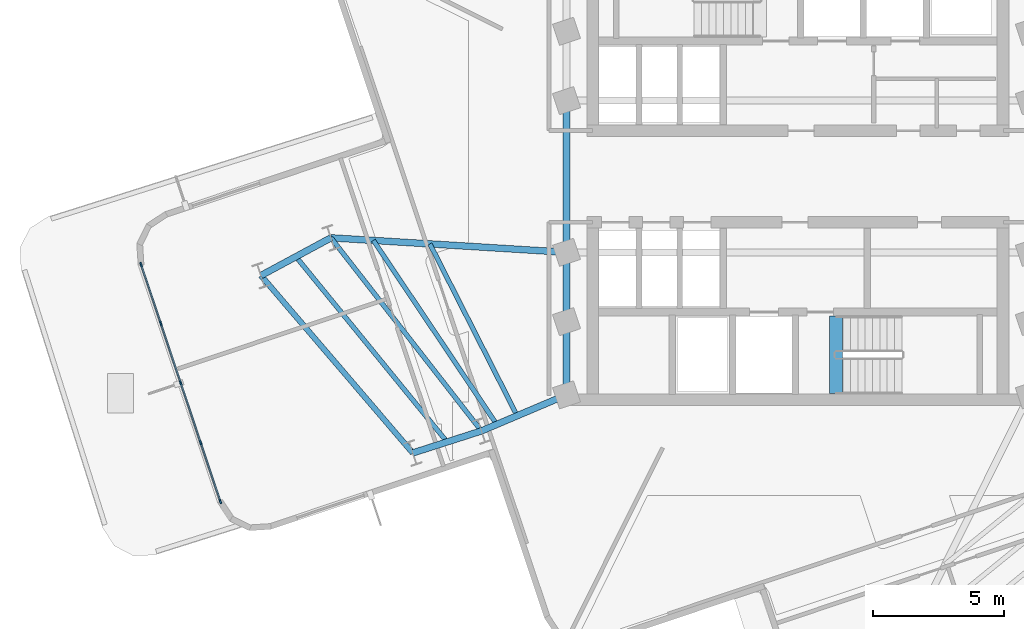
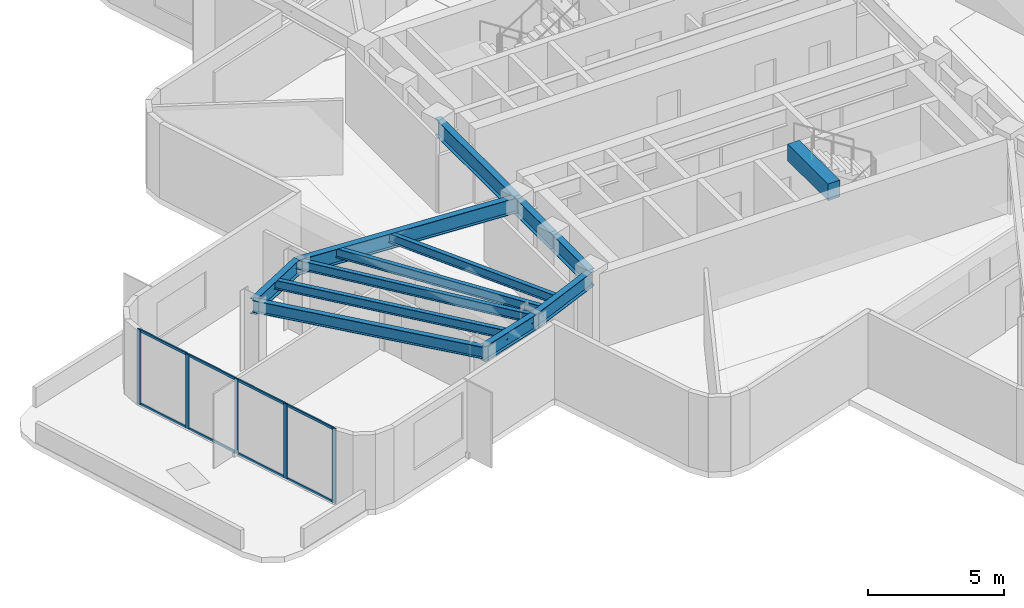
# One storey, part 2 of 11: 13 beams, 13 members, 1 element without a shape of its own.
"""IFC4 building model written with IfcOpenShell, lengths in metres."""

import ifcopenshell
import ifcopenshell.guid

model = None  # the IFC model being written
_history = None  # IfcOwnerHistory: only IFC2X3 demands one
_inside = {}  # id of a spatial element -> (the spatial element, [elements in it])
_under = {}  # id of a project, library or spatial element -> (it, [spatial elements below it])
_declared = {}  # id of a project -> (the project, [libraries it declares])
_typed = {}  # id of a type object -> (the type object, [elements of that type])
_made_of = {}  # id of a material, layer set ... -> (it, [elements and type objects made of it])


def new_model(schema):
    """Start an empty IFC model of exactly this schema.

    Asked for "IFC4X3", IfcOpenShell would pick the latest addendum, in which some entities
    have other attributes; the version numbers below select the first issue.
    IFC2X3 requires an IfcOwnerHistory on every rooted entity: one is made here for all.
    """
    global model, _history
    if schema == "IFC4X3":
        model = ifcopenshell.file(schema_version=(4, 3, 0, 0))
    else:
        model = ifcopenshell.file(schema=schema)
    _inside.clear()
    _under.clear()
    _declared.clear()
    _typed.clear()
    _made_of.clear()
    _history = None
    if model.schema == "IFC2X3":
        org = make("IfcOrganization", Name="unknown")
        user = make(
            "IfcPersonAndOrganization",
            ThePerson=make("IfcPerson", FamilyName="unknown"),
            TheOrganization=org,
        )
        app = make(
            "IfcApplication",
            ApplicationDeveloper=org,
            Version="unknown",
            ApplicationFullName="unknown",
            ApplicationIdentifier="unknown",
        )
        _history = make(
            "IfcOwnerHistory",
            OwningUser=user,
            OwningApplication=app,
            ChangeAction="ADDED",
            CreationDate=0,
        )
    return model


def make(cls, **values):
    """One entity of the class cls with the attributes given. An attribute that is None is left unset."""
    return model.create_entity(
        cls, **{name: value for name, value in values.items() if value is not None}
    )


def rooted(cls, **values):
    """An entity with a GlobalId (a new one), such as an element, a storey or a relation."""
    return make(cls, GlobalId=ifcopenshell.guid.new(), OwnerHistory=_history, **values)


def si_unit(unit_type, name, prefix=None):
    """IfcSIUnit, for example si_unit("LENGTHUNIT", "METRE", prefix="MILLI")."""
    return make("IfcSIUnit", UnitType=unit_type, Prefix=prefix, Name=name)


def assignment(units):
    """IfcUnitAssignment: the units of a project."""
    return None if units is None else make("IfcUnitAssignment", Units=units)


def point(xyz):
    """IfcCartesianPoint."""
    return None if xyz is None else make("IfcCartesianPoint", Coordinates=xyz)


def direction(xyz):
    """IfcDirection."""
    return None if xyz is None else make("IfcDirection", DirectionRatios=xyz)


def frame(location, z_axis=None, x_axis=None):
    """IfcAxis2Placement3D, a coordinate frame: its origin and axes. An axis left out is left unset."""
    return make(
        "IfcAxis2Placement3D",
        Location=point(location),
        Axis=direction(z_axis),
        RefDirection=direction(x_axis),
    )


def frame_2d(location, x_axis=None):
    """IfcAxis2Placement2D, a coordinate frame in the plane: its origin and x axis."""
    return make(
        "IfcAxis2Placement2D", Location=point(location), RefDirection=direction(x_axis)
    )


def origin():
    """The frame at (0, 0, 0) with its axes left unset."""
    return frame((0.0, 0.0, 0.0))


def origin_2d():
    """The frame at (0, 0) in the plane with its x axis left unset."""
    return frame_2d((0.0, 0.0))


def place(relative_to, where):
    """IfcLocalPlacement: puts the frame where relative to a parent placement (None: the world)."""
    return make(
        "IfcLocalPlacement", PlacementRelTo=relative_to, RelativePlacement=where
    )


def context(
    kind, dimensions, precision=None, world=None, true_north=None, identifier=None
):
    """IfcGeometricRepresentationContext, for example the 3D "Model" context."""
    return make(
        "IfcGeometricRepresentationContext",
        ContextIdentifier=identifier,
        ContextType=kind,
        CoordinateSpaceDimension=dimensions,
        Precision=precision,
        WorldCoordinateSystem=world,
        TrueNorth=true_north,
    )


def subcontext(parent, identifier, kind, view, scale=None):
    """IfcGeometricRepresentationSubContext, for example "Body" below "Model"."""
    return make(
        "IfcGeometricRepresentationSubContext",
        ContextIdentifier=identifier,
        ContextType=kind,
        ParentContext=parent,
        TargetScale=scale,
        TargetView=view,
    )


def project(units=None, contexts=None):
    """IfcProject with its units and contexts."""
    return rooted(
        "IfcProject",
        Name="project",
        RepresentationContexts=contexts,
        UnitsInContext=assignment(units),
    )


def spatial(cls, under=None, at=None, **own):
    """A site, building, storey or space (cls), placed at a placement, below another one or the project."""
    s = rooted(cls, ObjectPlacement=at, **own)
    if under is not None:
        _under.setdefault(under.id(), (under, []))[1].append(s)
    return s


def profile(cls, at=None, kind="AREA", **sizes):
    """A parametric profile (cls). Its sizes go by their IFC names, for example OverallWidth=200.0."""
    return make(cls, ProfileType=kind, Position=at, **sizes)


def rectangle(**sizes):
    """IfcRectangleProfileDef."""
    return profile("IfcRectangleProfileDef", **sizes)


def i_section(**sizes):
    """IfcIShapeProfileDef."""
    return profile("IfcIShapeProfileDef", **sizes)


def extrude(swept, where, along, depth):
    """IfcExtrudedAreaSolid: the profile swept, set in the frame where, extruded along a direction by depth."""
    return make(
        "IfcExtrudedAreaSolid",
        SweptArea=swept,
        Position=where,
        ExtrudedDirection=direction(along),
        Depth=depth,
    )


def shape(context_of_items, identifier, shape_type, items):
    """IfcShapeRepresentation: the items that make up one representation, for example the "Body"."""
    return make(
        "IfcShapeRepresentation",
        ContextOfItems=context_of_items,
        RepresentationIdentifier=identifier,
        RepresentationType=shape_type,
        Items=items,
    )


def material(Name=None, Category=None):
    """IfcMaterial."""
    return make("IfcMaterial", Name=Name, Category=Category)


def layer(
    of_material, thickness, ventilated=None, Name=None, Category=None, Priority=None
):
    """IfcMaterialLayer: one layer of a wall or slab, of a material (None: an air gap)."""
    return make(
        "IfcMaterialLayer",
        Material=of_material,
        LayerThickness=thickness,
        IsVentilated=ventilated,
        Name=Name,
        Category=Category,
        Priority=Priority,
    )


def layer_set(layers, Name=None):
    """IfcMaterialLayerSet."""
    return make("IfcMaterialLayerSet", MaterialLayers=layers, LayerSetName=Name)


def material_profile(
    of_material, cross_section, Name=None, Category=None, Priority=None
):
    """IfcMaterialProfile: a cross section and its material."""
    return make(
        "IfcMaterialProfile",
        Name=Name,
        Material=of_material,
        Profile=cross_section,
        Priority=Priority,
        Category=Category,
    )


def profile_set(profiles, Name=None, composite=None):
    """IfcMaterialProfileSet."""
    return make(
        "IfcMaterialProfileSet",
        Name=Name,
        MaterialProfiles=profiles,
        CompositeProfile=composite,
    )


def made_of(thing, what):
    """Note that an element or type object is made of a material, layer set ...; save() writes the relation."""
    if what is not None:
        _made_of.setdefault(what.id(), (what, []))[1].append(thing)
    return thing


def type_object(cls, material=None, **own):
    """A type object (cls), such as IfcWallType, which elements share."""
    return made_of(rooted(cls, **own), material)


def element(
    cls,
    number,
    at=None,
    inside=None,
    cuts=None,
    type_object=None,
    material=None,
    context=None,
    identifier="Body",
    shape_type=None,
    held_by="IfcProductDefinitionShape",
    body=None,
    shapes=None,
    **own,
):
    """One element of the class cls, such as IfcWall. Its Tag is "e" and its number.

    at: its placement. inside: the storey or other place that contains it. cuts: it is an
    opening in that element (IfcRelVoidsElement). A single representation is given by context,
    identifier, shape_type and body (its items); several are given by shapes. held_by: the class
    of the entity that holds the representations. save() writes the other relations.
    """
    e = rooted(cls, Tag="e%d" % number, ObjectPlacement=at, **own)
    if body is not None:
        shapes = [shape(context, identifier, shape_type, body)]
    if shapes is not None:
        e.Representation = make(held_by, Representations=shapes)
    if inside is not None:
        _inside.setdefault(inside.id(), (inside, []))[1].append(e)
    if cuts is not None:
        rooted(
            "IfcRelVoidsElement", RelatingBuildingElement=cuts, RelatedOpeningElement=e
        )
    if type_object is not None:
        _typed.setdefault(type_object.id(), (type_object, []))[1].append(e)
    return made_of(e, material)


def aggregate(whole, parts):
    """IfcRelAggregates: a whole, such as a stair, and the parts it consists of."""
    return rooted("IfcRelAggregates", RelatingObject=whole, RelatedObjects=parts)


def save(model, path):
    """Write the relations noted so far, then the file.

    IfcRelAggregates (storeys below a building ...), IfcRelContainedInSpatialStructure (elements
    in a storey), IfcRelDefinesByType, IfcRelAssociatesMaterial and IfcRelDeclares: one each for
    every whole, place, type object, material and project.
    """
    for whole, parts in _under.values():
        aggregate(whole, parts)
    for where, things in _inside.values():
        rooted(
            "IfcRelContainedInSpatialStructure",
            RelatedElements=things,
            RelatingStructure=where,
        )
    for kind, things in _typed.values():
        rooted("IfcRelDefinesByType", RelatedObjects=things, RelatingType=kind)
    for what, things in _made_of.values():
        rooted("IfcRelAssociatesMaterial", RelatedObjects=things, RelatingMaterial=what)
    for by, libraries in _declared.values():
        rooted("IfcRelDeclares", RelatingContext=by, RelatedDefinitions=libraries)
    model.write(path)


model = new_model("IFC4")

# Units and contexts
model_context = context("Model", 3, precision=1e-05, world=origin(), true_north=direction((0.0, 1.0)))
body_context = subcontext(model_context, "Body", "Model", "MODEL_VIEW")
ifc_project = project(units=[si_unit("LENGTHUNIT", "METRE"), si_unit("AREAUNIT", "SQUARE_METRE"), si_unit("VOLUMEUNIT", "CUBIC_METRE"), si_unit("PLANEANGLEUNIT", "RADIAN"), si_unit("MASSUNIT", "GRAM", prefix="KILO")], contexts=[model_context])

# Site, building, storey
site_placement = place(None, origin())
site = spatial("IfcSite", under=ifc_project, at=site_placement, CompositionType="ELEMENT")
building_placement = place(site_placement, origin())
building = spatial("IfcBuilding", under=site, at=building_placement, Name="Solmarez Civic Tower", CompositionType="ELEMENT")
storey_placement = place(building_placement, frame((0.0, 0.0, 155.8798828125)))
storey = spatial("IfcBuildingStorey", under=building, at=storey_placement, Name="L41", CompositionType="ELEMENT", Elevation=155.8798828125)

# Beams
ifc_material_1 = material(Name="Steel S355", Category="steel")
ifc_material_profile_1 = material_profile(ifc_material_1, i_section(OverallWidth=0.178955078125, OverallDepth=0.409912109375, WebThickness=0.0087890625, FlangeThickness=0.014404296875, at=origin_2d()), Name="W16X45")
ifc_profile_set_1 = profile_set([ifc_material_profile_1], Name="Steel S355")
beam_type_1 = type_object("IfcBeamType", Name="BM-JS-W16X45", PredefinedType="JOIST", material=ifc_profile_set_1)
beam_1_placement = place(storey_placement, frame((-17.85791015625, -2.345947265625, 3.135009765625), z_axis=(0.614476744631, -0.788934934141, 0.0), x_axis=(0.788934934141, 0.614476744631, 0.0)))
element("IfcBeam", 1, at=beam_1_placement, inside=storey, type_object=beam_type_1, Name="L41 Secondary Floor Joist BM-L41-WA-T1", PredefinedType="JOIST", context=body_context, shape_type="SweptSolid", body=[
    extrude(i_section(OverallWidth=0.178955078125, OverallDepth=0.409912109375, WebThickness=0.0087890625, FlangeThickness=0.014404296875, at=origin_2d()), origin(), (0.0, 0.0, 1.0), 9.36083984375),
])
beam_2_placement = place(storey_placement, frame((-19.197021484375, -3.06689453125, 3.135009765625), z_axis=(0.632062174253, -0.77491767813, 0.0), x_axis=(0.77491767813, 0.632062174253, 0.0)))
element("IfcBeam", 2, at=beam_2_placement, inside=storey, type_object=beam_type_1, Name="L41 Secondary Floor Joist JS-L41-WA-M2", PredefinedType="JOIST", context=body_context, shape_type="SweptSolid", body=[
    extrude(i_section(OverallWidth=0.178955078125, OverallDepth=0.409912109375, WebThickness=0.0087890625, FlangeThickness=0.014404296875, at=origin_2d()), origin(), (0.0, 0.0, 1.0), 9.14306640625),
])
beam_3_placement = place(storey_placement, frame((-14.074951171875, -2.5791015625, 3.135009765625), z_axis=(0.452743410654, -0.891640849282, 0.0), x_axis=(0.891640849282, 0.452743410654, 0.0)))
element("IfcBeam", 3, at=beam_3_placement, inside=storey, type_object=beam_type_1, Name="L41 Secondary Floor Joist JS-L41-WA-M11", PredefinedType="JOIST", context=body_context, shape_type="SweptSolid", body=[
    extrude(i_section(OverallWidth=0.178955078125, OverallDepth=0.409912109375, WebThickness=0.0087890625, FlangeThickness=0.014404296875, at=origin_2d()), origin(), (0.0, 0.0, 1.0), 7.370361328125),
])
beam_4_placement = place(storey_placement, frame((-16.237060546875, -2.446044921875, 3.135009765625), z_axis=(0.556859935783, -0.830606412159, 0.0), x_axis=(0.830606412159, 0.556859935783, 0.0)))
element("IfcBeam", 4, at=beam_4_placement, inside=storey, type_object=beam_type_1, Name="L41 Secondary Floor Joist JS-L41-WA-M12", PredefinedType="JOIST", context=body_context, shape_type="SweptSolid", body=[
    extrude(i_section(OverallWidth=0.178955078125, OverallDepth=0.409912109375, WebThickness=0.0087890625, FlangeThickness=0.014404296875, at=origin_2d()), origin(), (0.0, 0.0, 1.0), 8.470703125),
])
ifc_material_2 = material(Name="Concrete C50/60", Category="concrete")
ifc_material_profile_2 = material_profile(ifc_material_2, rectangle(XDim=0.5, YDim=0.75, at=origin_2d()), Name="RC500X750")
ifc_profile_set_2 = profile_set([ifc_material_profile_2], Name="Concrete C50/60")
beam_type_2 = type_object("IfcBeamType", Name="BM-PR-RC500X750", PredefinedType="BEAM", material=ifc_profile_set_2)
beam_5_placement = place(storey_placement, frame((1.449951171875, -8.300048828125, 3.233154296875), z_axis=(0.0, 1.0, 0.0), x_axis=(-1.0, 0.0, 0.0)))
element("IfcBeam", 5, at=beam_5_placement, inside=storey, type_object=beam_type_2, Name="L41 South Stair Threshold Beam", PredefinedType="BEAM", context=body_context, shape_type="SweptSolid", body=[
    extrude(rectangle(XDim=0.5, YDim=0.75, at=origin_2d()), origin(), (0.0, 0.0, 1.0), 2.9599609375),
])
ifc_material_profile_3 = material_profile(ifc_material_1, i_section(OverallWidth=0.25390625, OverallDepth=0.68798828125, WebThickness=0.01318359375, FlangeThickness=0.02099609375, at=origin_2d()), Name="W27X102")
ifc_profile_set_3 = profile_set([ifc_material_profile_3], Name="Steel S355")
beam_type_3 = type_object("IfcBeamType", Name="BM-PR-W27X102", PredefinedType="BEAM", material=ifc_profile_set_3)
beam_6_placement = place(storey_placement, frame((-8.85009765625, -2.89990234375, 2.99609375), z_axis=(-0.998114395047, 0.061381221877, 0.0), x_axis=(-0.061381221877, -0.998114395047, 0.0)))
element("IfcBeam", 6, at=beam_6_placement, inside=storey, type_object=beam_type_3, Name="L41 Primary Floor Beam BM-L41-WA-R1A", PredefinedType="BEAM", context=body_context, shape_type="SweptSolid", body=[
    extrude(i_section(OverallWidth=0.25390625, OverallDepth=0.68798828125, WebThickness=0.01318359375, FlangeThickness=0.02099609375, at=origin_2d()), origin(), (0.0, 0.0, 1.0), 9.02490234375),
])
beam_7_placement = place(storey_placement, frame((-8.85009765625, -8.35009765625, 2.99609375), z_axis=(-0.920623894701, -0.390450566019, 0.0), x_axis=(0.390450566019, -0.920623894701, 0.0)))
element("IfcBeam", 7, at=beam_7_placement, inside=storey, type_object=beam_type_3, Name="L41 Primary Floor Beam BM-L41-WA-R1B", PredefinedType="BEAM", context=body_context, shape_type="SweptSolid", body=[
    extrude(i_section(OverallWidth=0.25390625, OverallDepth=0.68798828125, WebThickness=0.01318359375, FlangeThickness=0.02099609375, at=origin_2d()), origin(), (0.0, 0.0, 1.0), 3.53662109375),
])
beam_8_placement = place(storey_placement, frame((-17.85791015625, -2.345947265625, 2.99609375), z_axis=(-0.880378270924, -0.474272179329, 0.0), x_axis=(0.474272179329, -0.880378270924, 0.0)))
element("IfcBeam", 8, at=beam_8_placement, inside=storey, type_object=beam_type_3, Name="L41 Primary Floor Beam BM-L41-WA-R2A", PredefinedType="BEAM", context=body_context, shape_type="SweptSolid", body=[
    extrude(i_section(OverallWidth=0.25390625, OverallDepth=0.68798828125, WebThickness=0.01318359375, FlangeThickness=0.02099609375, at=origin_2d()), origin(), (0.0, 0.0, 1.0), 3.040771484375),
])
beam_9_placement = place(storey_placement, frame((-12.10595703125, -9.73095703125, 2.99609375), z_axis=(-0.952208998703, -0.305447250421, 0.0), x_axis=(0.305447250421, -0.952208998703, 0.0)))
element("IfcBeam", 9, at=beam_9_placement, inside=storey, type_object=beam_type_3, Name="L41 Primary Floor Beam BM-L41-WA-R2B", PredefinedType="BEAM", context=body_context, shape_type="SweptSolid", body=[
    extrude(i_section(OverallWidth=0.25390625, OverallDepth=0.68798828125, WebThickness=0.01318359375, FlangeThickness=0.02099609375, at=origin_2d()), origin(), (0.0, 0.0, 1.0), 2.7568359375),
])
ifc_material_profile_4 = material_profile(ifc_material_1, i_section(OverallWidth=0.26708984375, OverallDepth=0.761962890625, WebThickness=0.014404296875, FlangeThickness=0.021484375, at=origin_2d()), Name="W30X116")
ifc_profile_set_4 = profile_set([ifc_material_profile_4], Name="Steel S355")
beam_type_4 = type_object("IfcBeamType", Name="BM-PR-W30X116", PredefinedType="BEAM", material=ifc_profile_set_4)
beam_10_placement = place(storey_placement, frame((-8.85009765625, -8.35009765625, 2.959228515625), z_axis=(0.0, 1.0, 0.0), x_axis=(-1.0, 0.0, 0.0)))
element("IfcBeam", 10, at=beam_10_placement, inside=storey, type_object=beam_type_4, Name="L41 Primary Floor Beam BM-L41-HC12-HC1", PredefinedType="BEAM", context=body_context, shape_type="SweptSolid", body=[
    extrude(i_section(OverallWidth=0.26708984375, OverallDepth=0.761962890625, WebThickness=0.014404296875, FlangeThickness=0.021484375, at=origin_2d()), origin(), (0.0, 0.0, 1.0), 2.800048828125),
])
beam_11_placement = place(storey_placement, frame((-8.85009765625, -5.550048828125, 2.959228515625), z_axis=(0.0, 1.0, 0.0), x_axis=(-1.0, 0.0, 0.0)))
element("IfcBeam", 11, at=beam_11_placement, inside=storey, type_object=beam_type_4, Name="L41 Primary Floor Beam BM-L41-HC1-HC2", PredefinedType="BEAM", context=body_context, shape_type="SweptSolid", body=[
    extrude(i_section(OverallWidth=0.26708984375, OverallDepth=0.761962890625, WebThickness=0.014404296875, FlangeThickness=0.021484375, at=origin_2d()), origin(), (0.0, 0.0, 1.0), 2.650146484375),
])
beam_12_placement = place(storey_placement, frame((-8.85009765625, -2.89990234375, 2.959228515625), z_axis=(0.0, 1.0, 0.0), x_axis=(-1.0, 0.0, 0.0)))
element("IfcBeam", 12, at=beam_12_placement, inside=storey, type_object=beam_type_4, Name="L41 Primary Floor Beam BM-L41-HC2-HC3", PredefinedType="BEAM", context=body_context, shape_type="SweptSolid", body=[
    extrude(i_section(OverallWidth=0.26708984375, OverallDepth=0.761962890625, WebThickness=0.014404296875, FlangeThickness=0.021484375, at=origin_2d()), origin(), (0.0, 0.0, 1.0), 5.7998046875),
])
ifc_material_profile_5 = material_profile(ifc_material_1, i_section(OverallWidth=0.2109375, OverallDepth=0.5390625, WebThickness=0.01171875, FlangeThickness=0.018798828125, at=origin_2d()), Name="W21X73")
ifc_profile_set_5 = profile_set([ifc_material_profile_5], Name="Steel S355")
beam_type_5 = type_object("IfcBeamType", Name="BM-SP-W21X73", PredefinedType="SPANDREL", material=ifc_profile_set_5)
beam_13_placement = place(storey_placement, frame((-20.534912109375, -3.7880859375, 3.071044921875), z_axis=(0.650036693718, -0.759902820642, 0.0), x_axis=(0.759902820642, 0.650036693718, 0.0)))
element("IfcBeam", 13, at=beam_13_placement, inside=storey, type_object=beam_type_5, Name="L41 Perimeter Spandrel Beam BM-L41-WA-T2", PredefinedType="SPANDREL", context=body_context, shape_type="SweptSolid", body=[
    extrude(i_section(OverallWidth=0.2109375, OverallDepth=0.5390625, WebThickness=0.01171875, FlangeThickness=0.018798828125, at=origin_2d()), origin(), (0.0, 0.0, 1.0), 8.9287109375),
])

# Curtain wall, members
ifc_material_3 = material(Name="Bronze Anodised Aluminium EN AW-6063 T6", Category="aluminium")
ifc_layer = layer(ifc_material_3, 0.175048828125)
ifc_layer_set = layer_set([ifc_layer], Name="Bronze Anodised Aluminium EN AW-6063 T6")
curtain_wall_type = type_object("IfcCurtainWallType", Name="CW-SYS-3", PredefinedType="NOTDEFINED", material=ifc_layer_set)
curtain_wall_placement = place(storey_placement, origin())
curtain_wall = element("IfcCurtainWall", 14, at=curtain_wall_placement, inside=storey, type_object=curtain_wall_type, Name="L41 Stick-Built Curtain Wall 1", PredefinedType="NOTDEFINED")
ifc_material_profile_6 = material_profile(ifc_material_3, rectangle(XDim=0.06494140625, YDim=0.1650390625, at=origin_2d()), Name="CWM-65X165")
ifc_profile_set_6 = profile_set([ifc_material_profile_6], Name="Bronze Anodised Aluminium EN AW-6063 T6")
member_type_1 = type_object("IfcMemberType", Name="CWM-TYPE-3", PredefinedType="MULLION", material=ifc_profile_set_6)
member_1_placement = place(storey_placement, frame((-22.08740234375, -12.42919921875, 0.0), z_axis=(0.0, 0.0, 1.0), x_axis=(-0.948329355688, -0.317287618953, 0.0)))
member_1 = element("IfcMember", 15, at=member_1_placement, type_object=member_type_1, Name="CWS3 mullion 1", PredefinedType="MULLION", context=body_context, shape_type="SweptSolid", body=[
    extrude(rectangle(XDim=0.06494140625, YDim=0.1650390625, at=origin_2d()), origin(), (0.0, 0.0, 1.0), 3.340087890625),
])
member_2_placement = place(storey_placement, frame((-22.84033203125, -10.1787109375, 0.0), z_axis=(0.0, 0.0, 1.0), x_axis=(-0.948329355688, -0.317287618953, 0.0)))
member_2 = element("IfcMember", 16, at=member_2_placement, type_object=member_type_1, Name="CWS3 mullion 2", PredefinedType="MULLION", context=body_context, shape_type="SweptSolid", body=[
    extrude(rectangle(XDim=0.06494140625, YDim=0.1650390625, at=origin_2d()), origin(), (0.0, 0.0, 1.0), 3.340087890625),
])
member_3_placement = place(storey_placement, frame((-23.603515625, -7.8974609375, 0.0), z_axis=(0.0, 0.0, 1.0), x_axis=(-0.948329355688, -0.317287618953, 0.0)))
member_3 = element("IfcMember", 17, at=member_3_placement, type_object=member_type_1, Name="CWS3 mullion 3", PredefinedType="MULLION", context=body_context, shape_type="SweptSolid", body=[
    extrude(rectangle(XDim=0.06494140625, YDim=0.1650390625, at=origin_2d()), origin(), (0.0, 0.0, 1.0), 3.340087890625),
])
member_4_placement = place(storey_placement, frame((-24.36669921875, -5.6162109375, 0.0), z_axis=(0.0, 0.0, 1.0), x_axis=(-0.948329355688, -0.317287618953, 0.0)))
member_4 = element("IfcMember", 18, at=member_4_placement, type_object=member_type_1, Name="CWS3 mullion 4", PredefinedType="MULLION", context=body_context, shape_type="SweptSolid", body=[
    extrude(rectangle(XDim=0.06494140625, YDim=0.1650390625, at=origin_2d()), origin(), (0.0, 0.0, 1.0), 3.340087890625),
])
member_5_placement = place(storey_placement, frame((-25.11962890625, -3.36572265625, 0.0), z_axis=(0.0, 0.0, 1.0), x_axis=(-0.948329355688, -0.317287618953, 0.0)))
member_5 = element("IfcMember", 19, at=member_5_placement, type_object=member_type_1, Name="CWS3 mullion 5", PredefinedType="MULLION", context=body_context, shape_type="SweptSolid", body=[
    extrude(rectangle(XDim=0.06494140625, YDim=0.1650390625, at=origin_2d()), origin(), (0.0, 0.0, 1.0), 3.340087890625),
])
ifc_material_profile_7 = material_profile(ifc_material_3, rectangle(XDim=0.06005859375, YDim=0.110107421875, at=origin_2d()), Name="CWT-60X110")
ifc_profile_set_7 = profile_set([ifc_material_profile_7], Name="Bronze Anodised Aluminium EN AW-6063 T6")
member_type_2 = type_object("IfcMemberType", Name="CWT-TYPE-3", PredefinedType="USERDEFINED", material=ifc_profile_set_7)
member_6_placement = place(storey_placement, frame((-22.09765625, -12.3984375, 0.030029296875), z_axis=(-0.31721127888, 0.948354893777, 0.0), x_axis=(-0.948354893777, -0.31721127888, 0.0)))
member_6 = element("IfcMember", 20, at=member_6_placement, type_object=member_type_2, Name="CWS3 transom 1.1", ObjectType="TRANSOM", PredefinedType="USERDEFINED", context=body_context, shape_type="SweptSolid", body=[
    extrude(rectangle(XDim=0.06005859375, YDim=0.110107421875, at=origin_2d()), origin(), (0.0, 0.0, 1.0), 2.30810546875),
])
member_7_placement = place(storey_placement, frame((-22.09765625, -12.3984375, 3.31005859375), z_axis=(-0.31721127888, 0.948354893777, 0.0), x_axis=(-0.948354893777, -0.31721127888, 0.0)))
member_7 = element("IfcMember", 21, at=member_7_placement, type_object=member_type_2, Name="CWS3 transom 1.2", ObjectType="TRANSOM", PredefinedType="USERDEFINED", context=body_context, shape_type="SweptSolid", body=[
    extrude(rectangle(XDim=0.06005859375, YDim=0.110107421875, at=origin_2d()), origin(), (0.0, 0.0, 1.0), 2.30810546875),
])
member_8_placement = place(storey_placement, frame((-22.8505859375, -10.14794921875, 0.030029296875), z_axis=(-0.317291463593, 0.948328069357, 0.0), x_axis=(-0.948328069357, -0.317291463593, 0.0)))
member_8 = element("IfcMember", 22, at=member_8_placement, type_object=member_type_2, Name="CWS3 transom 2.1", ObjectType="TRANSOM", PredefinedType="USERDEFINED", context=body_context, shape_type="SweptSolid", body=[
    extrude(rectangle(XDim=0.06005859375, YDim=0.110107421875, at=origin_2d()), origin(), (0.0, 0.0, 1.0), 2.340576171875),
])
member_9_placement = place(storey_placement, frame((-22.8505859375, -10.14794921875, 3.31005859375), z_axis=(-0.317291463593, 0.948328069357, 0.0), x_axis=(-0.948328069357, -0.317291463593, 0.0)))
member_9 = element("IfcMember", 23, at=member_9_placement, type_object=member_type_2, Name="CWS3 transom 2.2", ObjectType="TRANSOM", PredefinedType="USERDEFINED", context=body_context, shape_type="SweptSolid", body=[
    extrude(rectangle(XDim=0.06005859375, YDim=0.110107421875, at=origin_2d()), origin(), (0.0, 0.0, 1.0), 2.340576171875),
])
member_10_placement = place(storey_placement, frame((-23.61376953125, -7.86669921875, 0.030029296875), z_axis=(-0.317291463593, 0.948328069357, 0.0), x_axis=(-0.948328069357, -0.317291463593, 0.0)))
member_10 = element("IfcMember", 24, at=member_10_placement, type_object=member_type_2, Name="CWS3 transom 3.1", ObjectType="TRANSOM", PredefinedType="USERDEFINED", context=body_context, shape_type="SweptSolid", body=[
    extrude(rectangle(XDim=0.06005859375, YDim=0.110107421875, at=origin_2d()), origin(), (0.0, 0.0, 1.0), 2.340576171875),
])
member_11_placement = place(storey_placement, frame((-23.61376953125, -7.86669921875, 3.31005859375), z_axis=(-0.317291463593, 0.948328069357, 0.0), x_axis=(-0.948328069357, -0.317291463593, 0.0)))
member_11 = element("IfcMember", 25, at=member_11_placement, type_object=member_type_2, Name="CWS3 transom 3.2", ObjectType="TRANSOM", PredefinedType="USERDEFINED", context=body_context, shape_type="SweptSolid", body=[
    extrude(rectangle(XDim=0.06005859375, YDim=0.110107421875, at=origin_2d()), origin(), (0.0, 0.0, 1.0), 2.340576171875),
])
member_12_placement = place(storey_placement, frame((-24.376953125, -5.58544921875, 0.030029296875), z_axis=(-0.317338233108, 0.948312419938, 0.0), x_axis=(-0.948312419938, -0.317338233108, 0.0)))
member_12 = element("IfcMember", 26, at=member_12_placement, type_object=member_type_2, Name="CWS3 transom 4.1", ObjectType="TRANSOM", PredefinedType="USERDEFINED", context=body_context, shape_type="SweptSolid", body=[
    extrude(rectangle(XDim=0.06005859375, YDim=0.110107421875, at=origin_2d()), origin(), (0.0, 0.0, 1.0), 2.30810546875),
])
member_13_placement = place(storey_placement, frame((-24.376953125, -5.58544921875, 3.31005859375), z_axis=(-0.317338233108, 0.948312419938, 0.0), x_axis=(-0.948312419938, -0.317338233108, 0.0)))
member_13 = element("IfcMember", 27, at=member_13_placement, type_object=member_type_2, Name="CWS3 transom 4.2", ObjectType="TRANSOM", PredefinedType="USERDEFINED", context=body_context, shape_type="SweptSolid", body=[
    extrude(rectangle(XDim=0.06005859375, YDim=0.110107421875, at=origin_2d()), origin(), (0.0, 0.0, 1.0), 2.30810546875),
])
aggregate(curtain_wall, [member_1, member_2, member_3, member_4, member_5, member_6, member_7, member_8, member_9, member_10, member_11, member_12, member_13])

save(model, "model.ifc")
